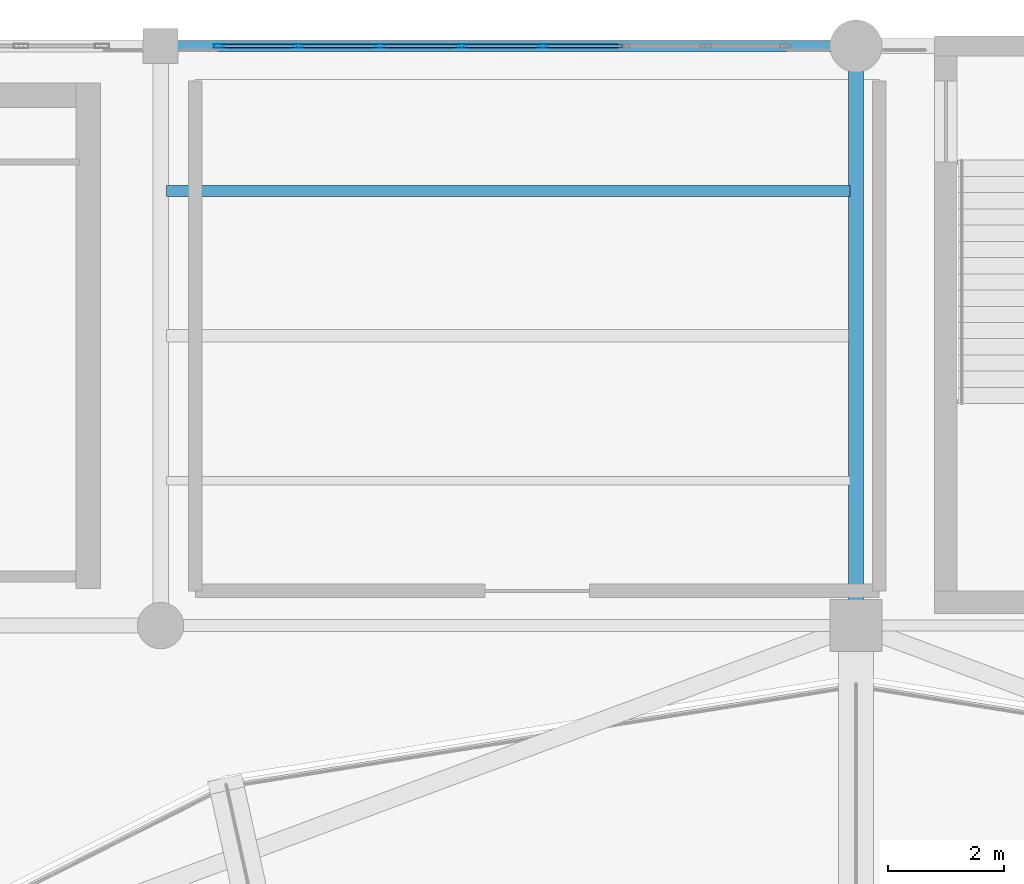
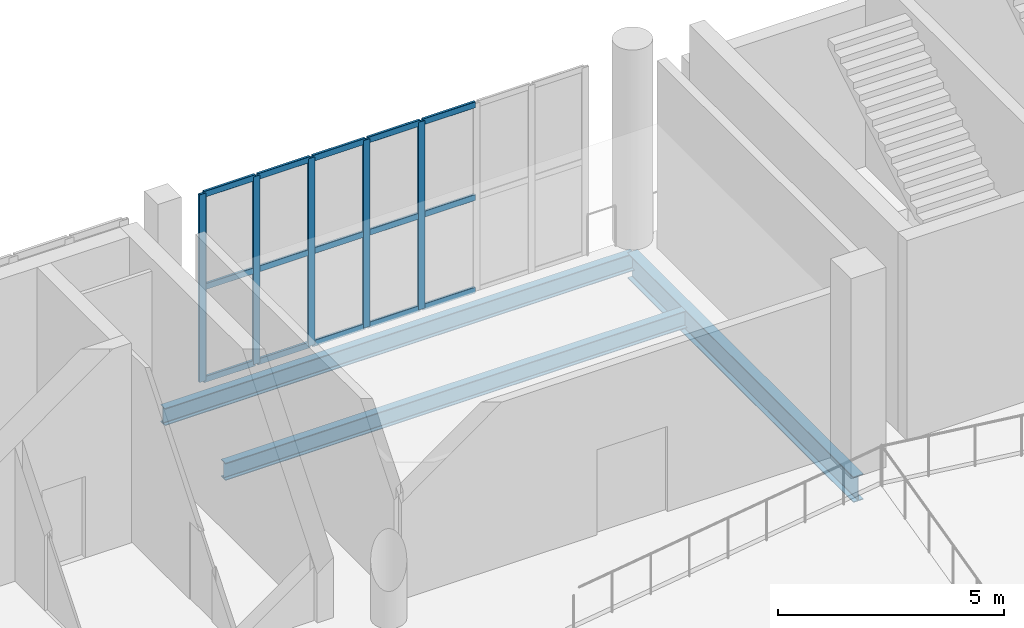
# One storey, part 21 of 74: 20 members, 3 beams, 1 element without a shape of its own.
"""IFC4 building model written with IfcOpenShell, lengths in metres."""

from ifc_helpers import new_model, si_unit, direction, frame, origin, origin_2d, place, context, subcontext, project, spatial, hollow_rectangle, i_section, extrude, material, layer, layer_set, material_profile, profile_set, type_object, element, aggregate, save


model = new_model("IFC4")

# Units and contexts
model_context = context("Model", 3, precision=1e-05, world=origin(), true_north=direction((0.0, 1.0)))
body_context = subcontext(model_context, "Body", "Model", "MODEL_VIEW")
ifc_project = project(units=[si_unit("LENGTHUNIT", "METRE"), si_unit("AREAUNIT", "SQUARE_METRE"), si_unit("VOLUMEUNIT", "CUBIC_METRE"), si_unit("PLANEANGLEUNIT", "RADIAN"), si_unit("MASSUNIT", "GRAM", prefix="KILO")], contexts=[model_context])

# Site, building, storey
site_placement = place(None, origin())
site = spatial("IfcSite", under=ifc_project, at=site_placement, CompositionType="ELEMENT")
building_placement = place(site_placement, origin())
building = spatial("IfcBuilding", under=site, at=building_placement, Name="Brinegate Civic Arena", CompositionType="ELEMENT")
storey_placement = place(building_placement, frame((0.0, 0.0, 19.199951171875)))
storey = spatial("IfcBuildingStorey", under=building, at=storey_placement, Name="L04", CompositionType="ELEMENT", Elevation=19.199951171875)

# Curtain wall, members
ifc_material_1 = material(Name="Marine grade aluminium", Category="aluminium")
ifc_layer = layer(ifc_material_1, 0.235107421875, Name="Marine grade aluminium")
ifc_layer_set = layer_set([ifc_layer], Name="Marine grade aluminium")
curtain_wall_type = type_object("IfcCurtainWallType", Name="CW-PORTAL-NORTH-01", PredefinedType="USERDEFINED", material=ifc_layer_set)
curtain_wall_placement = place(storey_placement, origin())
curtain_wall = element("IfcCurtainWall", 1, at=curtain_wall_placement, inside=storey, type_object=curtain_wall_type, Name="Curtain Wall CWA-146", ObjectType="PORTAL CURTAIN WALL", PredefinedType="USERDEFINED")
ifc_material_profile_1 = material_profile(ifc_material_1, hollow_rectangle(XDim=0.06494140625, YDim=0.179931640625, WallThickness=0.0048828125, InnerFilletRadius=0.00390625, OuterFilletRadius=0.008056640625, at=origin_2d()), Name="MUL65X180")
ifc_profile_set_1 = profile_set([ifc_material_profile_1], Name="Marine grade aluminium")
member_type_1 = type_object("IfcMemberType", Name="CW-MULLION-65X180", PredefinedType="MULLION", material=ifc_profile_set_1)
member_1_placement = place(storey_placement, frame((97.006591796875, 124.0, 0.0), z_axis=(0.0, 0.0, 1.0), x_axis=(0.0, 1.0, 0.0)))
member_1 = element("IfcMember", 2, at=member_1_placement, type_object=member_type_1, Name="CWA-146 mullion 1", PredefinedType="MULLION", context=body_context, shape_type="SweptSolid", body=[
    extrude(hollow_rectangle(XDim=0.06494140625, YDim=0.179931640625, WallThickness=0.0048828125, InnerFilletRadius=0.00390625, OuterFilletRadius=0.008056640625, at=origin_2d()), origin(), (0.0, 0.0, 1.0), 5.070068359375),
])
member_2_placement = place(storey_placement, frame((98.379638671875, 124.0, 0.0), z_axis=(0.0, 0.0, 1.0), x_axis=(0.0, 1.0, 0.0)))
member_2 = element("IfcMember", 3, at=member_2_placement, type_object=member_type_1, Name="CWA-146 mullion 2", PredefinedType="MULLION", context=body_context, shape_type="SweptSolid", body=[
    extrude(hollow_rectangle(XDim=0.06494140625, YDim=0.179931640625, WallThickness=0.0048828125, InnerFilletRadius=0.00390625, OuterFilletRadius=0.008056640625, at=origin_2d()), origin(), (0.0, 0.0, 1.0), 5.070068359375),
])
member_3_placement = place(storey_placement, frame((99.785400390625, 124.0, 0.0), z_axis=(0.0, 0.0, 1.0), x_axis=(0.0, 1.0, 0.0)))
member_3 = element("IfcMember", 4, at=member_3_placement, type_object=member_type_1, Name="CWA-146 mullion 3", PredefinedType="MULLION", context=body_context, shape_type="SweptSolid", body=[
    extrude(hollow_rectangle(XDim=0.06494140625, YDim=0.179931640625, WallThickness=0.0048828125, InnerFilletRadius=0.00390625, OuterFilletRadius=0.008056640625, at=origin_2d()), origin(), (0.0, 0.0, 1.0), 5.070068359375),
])
member_4_placement = place(storey_placement, frame((101.191162109375, 124.0, 0.0), z_axis=(0.0, 0.0, 1.0), x_axis=(0.0, 1.0, 0.0)))
member_4 = element("IfcMember", 5, at=member_4_placement, type_object=member_type_1, Name="CWA-146 mullion 4", PredefinedType="MULLION", context=body_context, shape_type="SweptSolid", body=[
    extrude(hollow_rectangle(XDim=0.06494140625, YDim=0.179931640625, WallThickness=0.0048828125, InnerFilletRadius=0.00390625, OuterFilletRadius=0.008056640625, at=origin_2d()), origin(), (0.0, 0.0, 1.0), 5.070068359375),
])
member_5_placement = place(storey_placement, frame((102.596923828125, 124.0, 0.0), z_axis=(0.0, 0.0, 1.0), x_axis=(0.0, 1.0, 0.0)))
member_5 = element("IfcMember", 6, at=member_5_placement, type_object=member_type_1, Name="CWA-146 mullion 5", PredefinedType="MULLION", context=body_context, shape_type="SweptSolid", body=[
    extrude(hollow_rectangle(XDim=0.06494140625, YDim=0.179931640625, WallThickness=0.0048828125, InnerFilletRadius=0.00390625, OuterFilletRadius=0.008056640625, at=origin_2d()), origin(), (0.0, 0.0, 1.0), 5.070068359375),
])
ifc_material_profile_2 = material_profile(ifc_material_1, hollow_rectangle(XDim=0.06494140625, YDim=0.1650390625, WallThickness=0.0048828125, InnerFilletRadius=0.00390625, OuterFilletRadius=0.008056640625, at=origin_2d()), Name="TRN65X165")
ifc_profile_set_2 = profile_set([ifc_material_profile_2], Name="Marine grade aluminium")
member_type_2 = type_object("IfcMemberType", Name="CW-TRANSOM-65X165", PredefinedType="USERDEFINED", material=ifc_profile_set_2)
member_6_placement = place(storey_placement, frame((97.0390625, 124.0, 0.032470703125), z_axis=(1.0, 0.0, 0.0), x_axis=(0.0, 1.0, 0.0)))
member_6 = element("IfcMember", 7, at=member_6_placement, type_object=member_type_2, Name="CWA-146 transom 1.1", ObjectType="TRANSOM", PredefinedType="USERDEFINED", context=body_context, shape_type="SweptSolid", body=[
    extrude(hollow_rectangle(XDim=0.06494140625, YDim=0.1650390625, WallThickness=0.0048828125, InnerFilletRadius=0.00390625, OuterFilletRadius=0.008056640625, at=origin_2d()), origin(), (0.0, 0.0, 1.0), 1.30810546875),
])
member_7_placement = place(storey_placement, frame((97.0390625, 124.0, 2.53515625), z_axis=(1.0, 0.0, 0.0), x_axis=(0.0, 1.0, 0.0)))
member_7 = element("IfcMember", 8, at=member_7_placement, type_object=member_type_2, Name="CWA-146 transom 1.2", ObjectType="TRANSOM", PredefinedType="USERDEFINED", context=body_context, shape_type="SweptSolid", body=[
    extrude(hollow_rectangle(XDim=0.06494140625, YDim=0.1650390625, WallThickness=0.0048828125, InnerFilletRadius=0.00390625, OuterFilletRadius=0.008056640625, at=origin_2d()), origin(), (0.0, 0.0, 1.0), 1.30810546875),
])
member_8_placement = place(storey_placement, frame((97.0390625, 124.0, 5.03759765625), z_axis=(1.0, 0.0, 0.0), x_axis=(0.0, 1.0, 0.0)))
member_8 = element("IfcMember", 9, at=member_8_placement, type_object=member_type_2, Name="CWA-146 transom 1.3", ObjectType="TRANSOM", PredefinedType="USERDEFINED", context=body_context, shape_type="SweptSolid", body=[
    extrude(hollow_rectangle(XDim=0.06494140625, YDim=0.1650390625, WallThickness=0.0048828125, InnerFilletRadius=0.00390625, OuterFilletRadius=0.008056640625, at=origin_2d()), origin(), (0.0, 0.0, 1.0), 1.30810546875),
])
member_9_placement = place(storey_placement, frame((98.412109375, 124.0, 0.032470703125), z_axis=(1.0, 0.0, 0.0), x_axis=(0.0, 1.0, 0.0)))
member_9 = element("IfcMember", 10, at=member_9_placement, type_object=member_type_2, Name="CWA-146 transom 2.1", ObjectType="TRANSOM", PredefinedType="USERDEFINED", context=body_context, shape_type="SweptSolid", body=[
    extrude(hollow_rectangle(XDim=0.06494140625, YDim=0.1650390625, WallThickness=0.0048828125, InnerFilletRadius=0.00390625, OuterFilletRadius=0.008056640625, at=origin_2d()), origin(), (0.0, 0.0, 1.0), 1.3408203125),
])
member_10_placement = place(storey_placement, frame((98.412109375, 124.0, 2.53515625), z_axis=(1.0, 0.0, 0.0), x_axis=(0.0, 1.0, 0.0)))
member_10 = element("IfcMember", 11, at=member_10_placement, type_object=member_type_2, Name="CWA-146 transom 2.2", ObjectType="TRANSOM", PredefinedType="USERDEFINED", context=body_context, shape_type="SweptSolid", body=[
    extrude(hollow_rectangle(XDim=0.06494140625, YDim=0.1650390625, WallThickness=0.0048828125, InnerFilletRadius=0.00390625, OuterFilletRadius=0.008056640625, at=origin_2d()), origin(), (0.0, 0.0, 1.0), 1.3408203125),
])
member_11_placement = place(storey_placement, frame((98.412109375, 124.0, 5.03759765625), z_axis=(1.0, 0.0, 0.0), x_axis=(0.0, 1.0, 0.0)))
member_11 = element("IfcMember", 12, at=member_11_placement, type_object=member_type_2, Name="CWA-146 transom 2.3", ObjectType="TRANSOM", PredefinedType="USERDEFINED", context=body_context, shape_type="SweptSolid", body=[
    extrude(hollow_rectangle(XDim=0.06494140625, YDim=0.1650390625, WallThickness=0.0048828125, InnerFilletRadius=0.00390625, OuterFilletRadius=0.008056640625, at=origin_2d()), origin(), (0.0, 0.0, 1.0), 1.3408203125),
])
member_12_placement = place(storey_placement, frame((99.81787109375, 124.0, 0.032470703125), z_axis=(1.0, 0.0, 0.0), x_axis=(0.0, 1.0, 0.0)))
member_12 = element("IfcMember", 13, at=member_12_placement, type_object=member_type_2, Name="CWA-146 transom 3.1", ObjectType="TRANSOM", PredefinedType="USERDEFINED", context=body_context, shape_type="SweptSolid", body=[
    extrude(hollow_rectangle(XDim=0.06494140625, YDim=0.1650390625, WallThickness=0.0048828125, InnerFilletRadius=0.00390625, OuterFilletRadius=0.008056640625, at=origin_2d()), origin(), (0.0, 0.0, 1.0), 1.3408203125),
])
member_13_placement = place(storey_placement, frame((99.81787109375, 124.0, 2.53515625), z_axis=(1.0, 0.0, 0.0), x_axis=(0.0, 1.0, 0.0)))
member_13 = element("IfcMember", 14, at=member_13_placement, type_object=member_type_2, Name="CWA-146 transom 3.2", ObjectType="TRANSOM", PredefinedType="USERDEFINED", context=body_context, shape_type="SweptSolid", body=[
    extrude(hollow_rectangle(XDim=0.06494140625, YDim=0.1650390625, WallThickness=0.0048828125, InnerFilletRadius=0.00390625, OuterFilletRadius=0.008056640625, at=origin_2d()), origin(), (0.0, 0.0, 1.0), 1.3408203125),
])
member_14_placement = place(storey_placement, frame((99.81787109375, 124.0, 5.03759765625), z_axis=(1.0, 0.0, 0.0), x_axis=(0.0, 1.0, 0.0)))
member_14 = element("IfcMember", 15, at=member_14_placement, type_object=member_type_2, Name="CWA-146 transom 3.3", ObjectType="TRANSOM", PredefinedType="USERDEFINED", context=body_context, shape_type="SweptSolid", body=[
    extrude(hollow_rectangle(XDim=0.06494140625, YDim=0.1650390625, WallThickness=0.0048828125, InnerFilletRadius=0.00390625, OuterFilletRadius=0.008056640625, at=origin_2d()), origin(), (0.0, 0.0, 1.0), 1.3408203125),
])
member_15_placement = place(storey_placement, frame((101.2236328125, 124.0, 0.032470703125), z_axis=(1.0, 0.0, 0.0), x_axis=(0.0, 1.0, 0.0)))
member_15 = element("IfcMember", 16, at=member_15_placement, type_object=member_type_2, Name="CWA-146 transom 4.1", ObjectType="TRANSOM", PredefinedType="USERDEFINED", context=body_context, shape_type="SweptSolid", body=[
    extrude(hollow_rectangle(XDim=0.06494140625, YDim=0.1650390625, WallThickness=0.0048828125, InnerFilletRadius=0.00390625, OuterFilletRadius=0.008056640625, at=origin_2d()), origin(), (0.0, 0.0, 1.0), 1.3408203125),
])
member_16_placement = place(storey_placement, frame((101.2236328125, 124.0, 2.53515625), z_axis=(1.0, 0.0, 0.0), x_axis=(0.0, 1.0, 0.0)))
member_16 = element("IfcMember", 17, at=member_16_placement, type_object=member_type_2, Name="CWA-146 transom 4.2", ObjectType="TRANSOM", PredefinedType="USERDEFINED", context=body_context, shape_type="SweptSolid", body=[
    extrude(hollow_rectangle(XDim=0.06494140625, YDim=0.1650390625, WallThickness=0.0048828125, InnerFilletRadius=0.00390625, OuterFilletRadius=0.008056640625, at=origin_2d()), origin(), (0.0, 0.0, 1.0), 1.3408203125),
])
member_17_placement = place(storey_placement, frame((101.2236328125, 124.0, 5.03759765625), z_axis=(1.0, 0.0, 0.0), x_axis=(0.0, 1.0, 0.0)))
member_17 = element("IfcMember", 18, at=member_17_placement, type_object=member_type_2, Name="CWA-146 transom 4.3", ObjectType="TRANSOM", PredefinedType="USERDEFINED", context=body_context, shape_type="SweptSolid", body=[
    extrude(hollow_rectangle(XDim=0.06494140625, YDim=0.1650390625, WallThickness=0.0048828125, InnerFilletRadius=0.00390625, OuterFilletRadius=0.008056640625, at=origin_2d()), origin(), (0.0, 0.0, 1.0), 1.3408203125),
])
member_18_placement = place(storey_placement, frame((102.62939453125, 124.0, 0.032470703125), z_axis=(1.0, 0.0, 0.0), x_axis=(0.0, 1.0, 0.0)))
member_18 = element("IfcMember", 19, at=member_18_placement, type_object=member_type_2, Name="CWA-146 transom 5.1", ObjectType="TRANSOM", PredefinedType="USERDEFINED", context=body_context, shape_type="SweptSolid", body=[
    extrude(hollow_rectangle(XDim=0.06494140625, YDim=0.1650390625, WallThickness=0.0048828125, InnerFilletRadius=0.00390625, OuterFilletRadius=0.008056640625, at=origin_2d()), origin(), (0.0, 0.0, 1.0), 1.340576171875),
])
member_19_placement = place(storey_placement, frame((102.62939453125, 124.0, 2.53515625), z_axis=(1.0, 0.0, 0.0), x_axis=(0.0, 1.0, 0.0)))
member_19 = element("IfcMember", 20, at=member_19_placement, type_object=member_type_2, Name="CWA-146 transom 5.2", ObjectType="TRANSOM", PredefinedType="USERDEFINED", context=body_context, shape_type="SweptSolid", body=[
    extrude(hollow_rectangle(XDim=0.06494140625, YDim=0.1650390625, WallThickness=0.0048828125, InnerFilletRadius=0.00390625, OuterFilletRadius=0.008056640625, at=origin_2d()), origin(), (0.0, 0.0, 1.0), 1.340576171875),
])
member_20_placement = place(storey_placement, frame((102.62939453125, 124.0, 5.03759765625), z_axis=(1.0, 0.0, 0.0), x_axis=(0.0, 1.0, 0.0)))
member_20 = element("IfcMember", 21, at=member_20_placement, type_object=member_type_2, Name="CWA-146 transom 5.3", ObjectType="TRANSOM", PredefinedType="USERDEFINED", context=body_context, shape_type="SweptSolid", body=[
    extrude(hollow_rectangle(XDim=0.06494140625, YDim=0.1650390625, WallThickness=0.0048828125, InnerFilletRadius=0.00390625, OuterFilletRadius=0.008056640625, at=origin_2d()), origin(), (0.0, 0.0, 1.0), 1.340576171875),
])
aggregate(curtain_wall, [member_1, member_2, member_3, member_4, member_5, member_6, member_7, member_8, member_9, member_10, member_11, member_12, member_13, member_14, member_15, member_16, member_17, member_18, member_19, member_20])

# Beams
ifc_material_2 = material(Name="Steel S355", Category="steel")
ifc_material_profile_3 = material_profile(ifc_material_2, i_section(OverallWidth=0.256103515625, OverallDepth=0.693115234375, WebThickness=0.014892578125, FlangeThickness=0.02392578125, FilletRadius=0.01806640625, at=origin_2d()), Name="W690X170")
ifc_profile_set_3 = profile_set([ifc_material_profile_3], Name="Steel S355")
beam_type_1 = type_object("IfcBeamType", Name="GIRDER-W690X170", PredefinedType="BEAM", material=ifc_profile_set_3)
beam_1_placement = place(storey_placement, frame((108.0, 114.0, -0.68603515625), z_axis=(0.0, 1.0, 0.0), x_axis=(-1.0, 0.0, 0.0)))
element("IfcBeam", 22, at=beam_1_placement, inside=storey, type_object=beam_type_1, Name="Floor Girder BM-L04-GY-09-11", PredefinedType="BEAM", context=body_context, shape_type="SweptSolid", body=[
    extrude(i_section(OverallWidth=0.256103515625, OverallDepth=0.693115234375, WebThickness=0.014892578125, FlangeThickness=0.02392578125, FilletRadius=0.01806640625, at=origin_2d()), origin(), (0.0, 0.0, 1.0), 10.0),
])
ifc_material_profile_4 = material_profile(ifc_material_2, i_section(OverallWidth=0.193115234375, OverallDepth=0.466064453125, WebThickness=0.010986328125, FlangeThickness=0.01904296875, FilletRadius=0.014892578125, at=origin_2d()), Name="W460X97")
ifc_profile_set_4 = profile_set([ifc_material_profile_4], Name="Steel S355")
beam_type_2 = type_object("IfcBeamType", Name="JOIST-W460X97", PredefinedType="JOIST", material=ifc_profile_set_4)
beam_2_placement = place(storey_placement, frame((96.10595703125, 121.5, -0.572998046875), z_axis=(1.0, 0.0, 0.0), x_axis=(0.0, 1.0, 0.0)))
element("IfcBeam", 23, at=beam_2_placement, inside=storey, type_object=beam_type_2, Name="Secondary Joist BM-L04-JX-08-11-3", PredefinedType="JOIST", context=body_context, shape_type="SweptSolid", body=[
    extrude(i_section(OverallWidth=0.193115234375, OverallDepth=0.466064453125, WebThickness=0.010986328125, FlangeThickness=0.01904296875, FilletRadius=0.014892578125, at=origin_2d()), origin(), (0.0, 0.0, 1.0), 11.7880859375),
])
ifc_material_profile_5 = material_profile(ifc_material_2, i_section(OverallWidth=0.193115234375, OverallDepth=0.466064453125, WebThickness=0.010986328125, FlangeThickness=0.01904296875, FilletRadius=0.014892578125, at=origin_2d()), Name="W460X97")
ifc_profile_set_5 = profile_set([ifc_material_profile_5], Name="Steel S355")
beam_type_3 = type_object("IfcBeamType", Name="SPANDREL-W460X97", PredefinedType="SPANDREL", material=ifc_profile_set_5)
beam_3_placement = place(storey_placement, frame((96.0, 124.0, -0.572998046875), z_axis=(1.0, 0.0, 0.0), x_axis=(0.0, 1.0, 0.0)))
element("IfcBeam", 24, at=beam_3_placement, inside=storey, type_object=beam_type_3, Name="Floor Girder BM-L04-GX-08-12", PredefinedType="SPANDREL", context=body_context, shape_type="SweptSolid", body=[
    extrude(i_section(OverallWidth=0.193115234375, OverallDepth=0.466064453125, WebThickness=0.010986328125, FlangeThickness=0.01904296875, FilletRadius=0.014892578125, at=origin_2d()), origin(), (0.0, 0.0, 1.0), 12.0),
])

save(model, "model.ifc")
